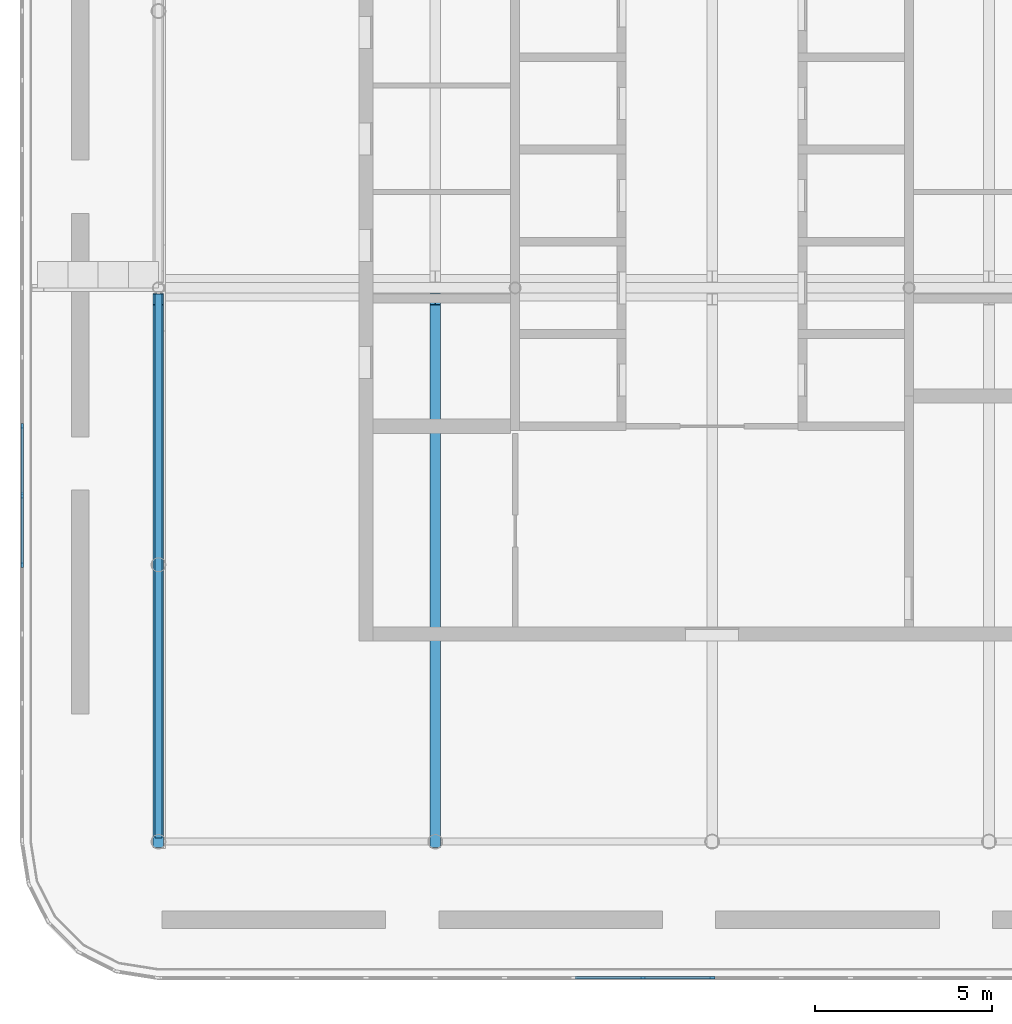
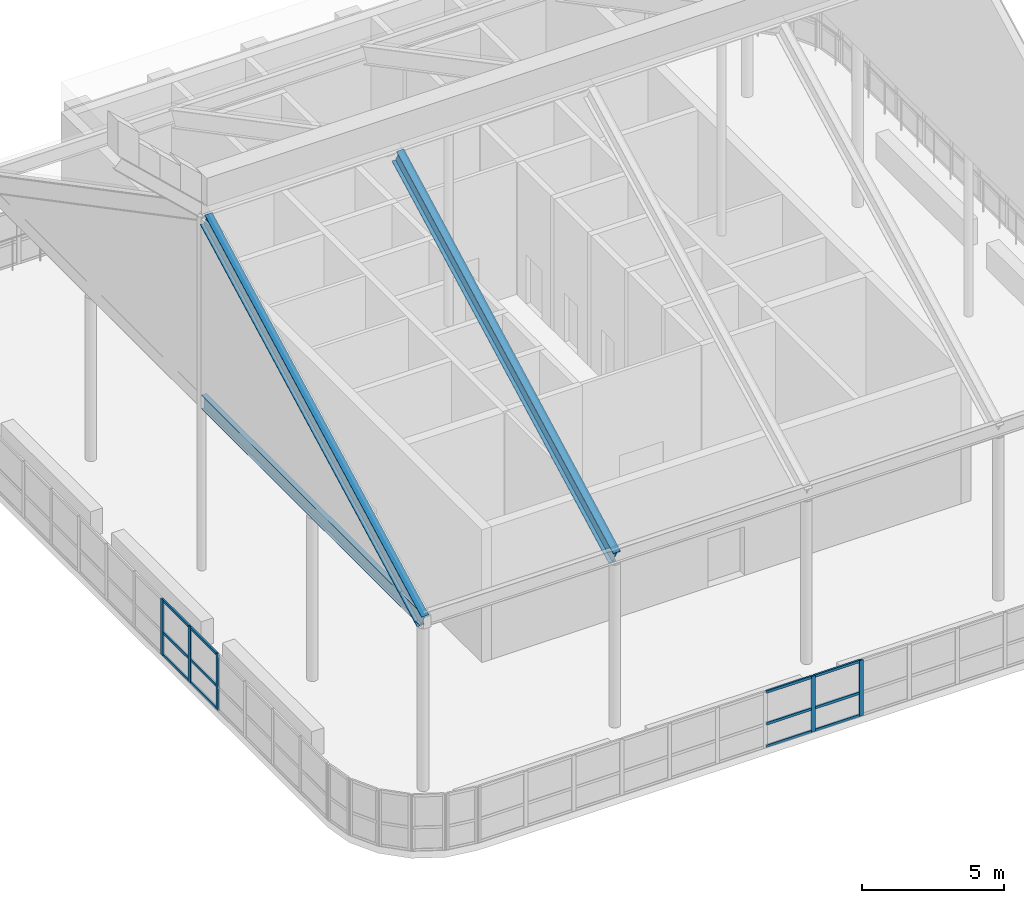
# One storey, part 5 of 19: 17 members, 3 beams, 2 elements without a shape of their own.
"""IFC4 building model written with IfcOpenShell, lengths in metres."""

from ifc_helpers import new_model, si_unit, direction, frame, origin, origin_2d, place, context, subcontext, project, spatial, rectangle, i_section, extrude, material, material_profile, profile_set, type_object, element, aggregate, save


model = new_model("IFC4")

# Units and contexts
model_context = context("Model", 3, precision=1e-05, world=origin(), true_north=direction((0.0, 1.0)))
body_context = subcontext(model_context, "Body", "Model", "MODEL_VIEW")
ifc_project = project(units=[si_unit("LENGTHUNIT", "METRE"), si_unit("AREAUNIT", "SQUARE_METRE"), si_unit("VOLUMEUNIT", "CUBIC_METRE"), si_unit("PLANEANGLEUNIT", "RADIAN"), si_unit("MASSUNIT", "GRAM", prefix="KILO")], contexts=[model_context])

# Site, building, storey
site_placement = place(None, origin())
site = spatial("IfcSite", under=ifc_project, at=site_placement, CompositionType="ELEMENT")
building_placement = place(site_placement, origin())
building = spatial("IfcBuilding", under=site, at=building_placement, Name="Ludao Terraces", CompositionType="ELEMENT")
storey_placement = place(building_placement, frame((0.0, 0.0, 266.39990234375)))
storey = spatial("IfcBuildingStorey", under=building, at=storey_placement, Name="L73", CompositionType="ELEMENT", Elevation=266.39990234375)

# Beams
ifc_material_1 = material(Name="Steel Q355", Category="steel")
ifc_material_profile_1 = material_profile(ifc_material_1, i_section(OverallWidth=0.199951171875, OverallDepth=0.60009765625, WebThickness=0.010986328125, FlangeThickness=0.01708984375, at=origin_2d()), Name="HN 600X200X11X17")
ifc_profile_set_1 = profile_set([ifc_material_profile_1], Name="Steel Q355")
beam_type_1 = type_object("IfcBeamType", Name="Canopy eave beam HN 600x200x11x17 Q355", PredefinedType="BEAM", material=ifc_profile_set_1)
beam_placement = place(storey_placement, frame((69.39990234375, 49.5, 7.29541015625), z_axis=(0.0, 1.0, 0.0), x_axis=(-1.0, 0.0, 0.0)))
element("IfcBeam", 1, at=beam_placement, inside=storey, type_object=beam_type_1, Name="Gable tie beam W south", PredefinedType="BEAM", context=body_context, shape_type="SweptSolid", body=[
    extrude(i_section(OverallWidth=0.199951171875, OverallDepth=0.60009765625, WebThickness=0.010986328125, FlangeThickness=0.01708984375, at=origin_2d()), origin(), (0.0, 0.0, 1.0), 15.33251953125),
])
ifc_material_profile_2 = material_profile(ifc_material_1, i_section(OverallWidth=0.300048828125, OverallDepth=0.699951171875, WebThickness=0.012939453125, FlangeThickness=0.02392578125, at=origin_2d()), Name="HN 700X300X13X24")
ifc_profile_set_2 = profile_set([ifc_material_profile_2], Name="Steel Q355")
beam_type_2 = type_object("IfcBeamType", Name="Canopy rafter HN 700x300x13x24 Q355", PredefinedType="BEAM", material=ifc_profile_set_2)
for number, where, z_axis, x_axis, name in (
    (2, (69.39990234375, 49.39990234375, 7.2001953125), (0.0, 0.885170238138, 0.465267288249), (-1.0, 0.0, 0.0), "Canopy rafter south 78"),
    (3, (77.199951171875, 49.39990234375, 7.2001953125), (0.0, 0.885170238138, 0.465267288249), (-1.0, 0.0, 0.0), "Canopy rafter south 156"),
):
    element("IfcBeam", number, at=place(storey_placement, frame(where, z_axis=z_axis, x_axis=x_axis)), inside=storey, type_object=beam_type_2, Name=name, PredefinedType="BEAM", context=body_context, shape_type="SweptSolid", body=[
        extrude(i_section(OverallWidth=0.300048828125, OverallDepth=0.699951171875, WebThickness=0.012939453125, FlangeThickness=0.02392578125, at=origin_2d()), origin(), (0.0, 0.0, 1.0), 17.2646484375),
    ])

# Curtain wall, members
ifc_material_2 = material(Name="Aluminium curtain wall with fritted glass", Category="aluminium")
curtain_wall_type = type_object("IfcCurtainWallType", Name="ENV CW6 crown screen glazing", PredefinedType="NOTDEFINED", material=ifc_material_2)
curtain_wall_1_placement = place(storey_placement, origin())
curtain_wall_1 = element("IfcCurtainWall", 4, at=curtain_wall_1_placement, inside=storey, type_object=curtain_wall_type, Name="Deck windscreen S1", PredefinedType="NOTDEFINED")
ifc_material_3 = material(Name="Aluminium 6063-T6", Category="aluminium")
ifc_material_profile_3 = material_profile(ifc_material_3, rectangle(XDim=0.070068359375, YDim=0.159912109375, at=origin_2d()), Name="70 X 160")
ifc_profile_set_3 = profile_set([ifc_material_profile_3], Name="Aluminium 6063-T6")
member_type_1 = type_object("IfcMemberType", Name="ENV CW6 mullion 70x160", PredefinedType="MULLION", material=ifc_profile_set_3)
member_1_placement = place(storey_placement, frame((83.050048828125, 45.56005859375, 0.0), z_axis=(0.0, 0.0, 1.0), x_axis=(0.0, 1.0, 0.0)))
member_1 = element("IfcMember", 5, at=member_1_placement, type_object=member_type_1, Name="CW6 mullion 8", PredefinedType="MULLION", context=body_context, shape_type="SweptSolid", body=[
    extrude(rectangle(XDim=0.070068359375, YDim=0.159912109375, at=origin_2d()), origin(), (0.0, 0.0, 1.0), 2.400146484375),
])
member_2_placement = place(storey_placement, frame((85.0, 45.56005859375, 0.0), z_axis=(0.0, 0.0, 1.0), x_axis=(0.0, 1.0, 0.0)))
member_2 = element("IfcMember", 6, at=member_2_placement, type_object=member_type_1, Name="CW6 mullion 9", PredefinedType="MULLION", context=body_context, shape_type="SweptSolid", body=[
    extrude(rectangle(XDim=0.070068359375, YDim=0.159912109375, at=origin_2d()), origin(), (0.0, 0.0, 1.0), 2.400146484375),
])

curtain_wall_2_placement = place(storey_placement, origin())
curtain_wall_2 = element("IfcCurtainWall", 7, at=curtain_wall_2_placement, inside=storey, type_object=curtain_wall_type, Name="Deck windscreen W1", PredefinedType="NOTDEFINED")
member_3_placement = place(storey_placement, frame((65.56005859375, 57.199951171875, 0.0), z_axis=(0.0, 0.0, 1.0), x_axis=(-1.0, 0.0, 0.0)))
member_3 = element("IfcMember", 8, at=member_3_placement, type_object=member_type_1, Name="CW6 mullion 5", PredefinedType="MULLION", context=body_context, shape_type="SweptSolid", body=[
    extrude(rectangle(XDim=0.070068359375, YDim=0.159912109375, at=origin_2d()), origin(), (0.0, 0.0, 1.0), 2.400146484375),
])
member_4_placement = place(storey_placement, frame((65.56005859375, 59.14990234375, 0.0), z_axis=(0.0, 0.0, 1.0), x_axis=(-1.0, 0.0, 0.0)))
member_4 = element("IfcMember", 9, at=member_4_placement, type_object=member_type_1, Name="CW6 mullion 6", PredefinedType="MULLION", context=body_context, shape_type="SweptSolid", body=[
    extrude(rectangle(XDim=0.070068359375, YDim=0.159912109375, at=origin_2d()), origin(), (0.0, 0.0, 1.0), 2.400146484375),
])
member_5_placement = place(storey_placement, frame((65.56005859375, 61.10009765625, 0.0), z_axis=(0.0, 0.0, 1.0), x_axis=(-1.0, 0.0, 0.0)))
member_5 = element("IfcMember", 10, at=member_5_placement, type_object=member_type_1, Name="CW6 mullion 7", PredefinedType="MULLION", context=body_context, shape_type="SweptSolid", body=[
    extrude(rectangle(XDim=0.070068359375, YDim=0.159912109375, at=origin_2d()), origin(), (0.0, 0.0, 1.0), 2.400146484375),
])

# Member
ifc_material_profile_4 = material_profile(ifc_material_3, rectangle(XDim=0.070068359375, YDim=0.110107421875, at=origin_2d()), Name="70 X 110")
ifc_profile_set_4 = profile_set([ifc_material_profile_4], Name="Aluminium 6063-T6")
member_type_2 = type_object("IfcMemberType", Name="ENV CW6 transom 70x110", PredefinedType="USERDEFINED", material=ifc_profile_set_4)
member_6_placement = place(storey_placement, frame((81.135009765625, 45.56005859375, 0.03515625), z_axis=(1.0, 0.0, 0.0), x_axis=(0.0, 1.0, 0.0)))
member_6 = element("IfcMember", 11, at=member_6_placement, type_object=member_type_2, Name="CW6 transom 7.1", ObjectType="TRANSOM", PredefinedType="USERDEFINED", context=body_context, shape_type="SweptSolid", body=[
    extrude(rectangle(XDim=0.070068359375, YDim=0.110107421875, at=origin_2d()), origin(), (0.0, 0.0, 1.0), 1.8798828125),
])

member_7_placement = place(storey_placement, frame((81.135009765625, 45.56005859375, 1.0), z_axis=(1.0, 0.0, 0.0), x_axis=(0.0, 1.0, 0.0)))
member_7 = element("IfcMember", 12, at=member_7_placement, type_object=member_type_2, Name="CW6 transom 7.2", ObjectType="TRANSOM", PredefinedType="USERDEFINED", context=body_context, shape_type="SweptSolid", body=[
    extrude(rectangle(XDim=0.070068359375, YDim=0.110107421875, at=origin_2d()), origin(), (0.0, 0.0, 1.0), 1.8798828125),
])

member_8_placement = place(storey_placement, frame((81.135009765625, 45.56005859375, 2.364990234375), z_axis=(1.0, 0.0, 0.0), x_axis=(0.0, 1.0, 0.0)))
member_8 = element("IfcMember", 13, at=member_8_placement, type_object=member_type_2, Name="CW6 transom 7.3", ObjectType="TRANSOM", PredefinedType="USERDEFINED", context=body_context, shape_type="SweptSolid", body=[
    extrude(rectangle(XDim=0.070068359375, YDim=0.110107421875, at=origin_2d()), origin(), (0.0, 0.0, 1.0), 1.8798828125),
])

member_9_placement = place(storey_placement, frame((83.0849609375, 45.56005859375, 0.03515625), z_axis=(1.0, 0.0, 0.0), x_axis=(0.0, 1.0, 0.0)))
member_9 = element("IfcMember", 14, at=member_9_placement, type_object=member_type_2, Name="CW6 transom 8.1", ObjectType="TRANSOM", PredefinedType="USERDEFINED", context=body_context, shape_type="SweptSolid", body=[
    extrude(rectangle(XDim=0.070068359375, YDim=0.110107421875, at=origin_2d()), origin(), (0.0, 0.0, 1.0), 1.880126953125),
])

member_10_placement = place(storey_placement, frame((83.0849609375, 45.56005859375, 1.0), z_axis=(1.0, 0.0, 0.0), x_axis=(0.0, 1.0, 0.0)))
member_10 = element("IfcMember", 15, at=member_10_placement, type_object=member_type_2, Name="CW6 transom 8.2", ObjectType="TRANSOM", PredefinedType="USERDEFINED", context=body_context, shape_type="SweptSolid", body=[
    extrude(rectangle(XDim=0.070068359375, YDim=0.110107421875, at=origin_2d()), origin(), (0.0, 0.0, 1.0), 1.880126953125),
])

member_11_placement = place(storey_placement, frame((83.0849609375, 45.56005859375, 2.364990234375), z_axis=(1.0, 0.0, 0.0), x_axis=(0.0, 1.0, 0.0)))
member_11 = element("IfcMember", 16, at=member_11_placement, type_object=member_type_2, Name="CW6 transom 8.3", ObjectType="TRANSOM", PredefinedType="USERDEFINED", context=body_context, shape_type="SweptSolid", body=[
    extrude(rectangle(XDim=0.070068359375, YDim=0.110107421875, at=origin_2d()), origin(), (0.0, 0.0, 1.0), 1.880126953125),
])

aggregate(curtain_wall_1, [member_1, member_2, member_6, member_7, member_8, member_9, member_10, member_11])

member_12_placement = place(storey_placement, frame((65.56005859375, 57.235107421875, 0.03515625), z_axis=(0.0, 1.0, 0.0), x_axis=(-1.0, 0.0, 0.0)))
member_12 = element("IfcMember", 17, at=member_12_placement, type_object=member_type_2, Name="CW6 transom 5.1", ObjectType="TRANSOM", PredefinedType="USERDEFINED", context=body_context, shape_type="SweptSolid", body=[
    extrude(rectangle(XDim=0.070068359375, YDim=0.110107421875, at=origin_2d()), origin(), (0.0, 0.0, 1.0), 1.8798828125),
])

member_13_placement = place(storey_placement, frame((65.56005859375, 57.235107421875, 1.0), z_axis=(0.0, 1.0, 0.0), x_axis=(-1.0, 0.0, 0.0)))
member_13 = element("IfcMember", 18, at=member_13_placement, type_object=member_type_2, Name="CW6 transom 5.2", ObjectType="TRANSOM", PredefinedType="USERDEFINED", context=body_context, shape_type="SweptSolid", body=[
    extrude(rectangle(XDim=0.070068359375, YDim=0.110107421875, at=origin_2d()), origin(), (0.0, 0.0, 1.0), 1.8798828125),
])

member_14_placement = place(storey_placement, frame((65.56005859375, 57.235107421875, 2.364990234375), z_axis=(0.0, 1.0, 0.0), x_axis=(-1.0, 0.0, 0.0)))
member_14 = element("IfcMember", 19, at=member_14_placement, type_object=member_type_2, Name="CW6 transom 5.3", ObjectType="TRANSOM", PredefinedType="USERDEFINED", context=body_context, shape_type="SweptSolid", body=[
    extrude(rectangle(XDim=0.070068359375, YDim=0.110107421875, at=origin_2d()), origin(), (0.0, 0.0, 1.0), 1.8798828125),
])

member_15_placement = place(storey_placement, frame((65.56005859375, 59.18505859375, 0.03515625), z_axis=(0.0, 1.0, 0.0), x_axis=(-1.0, 0.0, 0.0)))
member_15 = element("IfcMember", 20, at=member_15_placement, type_object=member_type_2, Name="CW6 transom 6.1", ObjectType="TRANSOM", PredefinedType="USERDEFINED", context=body_context, shape_type="SweptSolid", body=[
    extrude(rectangle(XDim=0.070068359375, YDim=0.110107421875, at=origin_2d()), origin(), (0.0, 0.0, 1.0), 1.8798828125),
])

member_16_placement = place(storey_placement, frame((65.56005859375, 59.18505859375, 1.0), z_axis=(0.0, 1.0, 0.0), x_axis=(-1.0, 0.0, 0.0)))
member_16 = element("IfcMember", 21, at=member_16_placement, type_object=member_type_2, Name="CW6 transom 6.2", ObjectType="TRANSOM", PredefinedType="USERDEFINED", context=body_context, shape_type="SweptSolid", body=[
    extrude(rectangle(XDim=0.070068359375, YDim=0.110107421875, at=origin_2d()), origin(), (0.0, 0.0, 1.0), 1.8798828125),
])

member_17_placement = place(storey_placement, frame((65.56005859375, 59.18505859375, 2.364990234375), z_axis=(0.0, 1.0, 0.0), x_axis=(-1.0, 0.0, 0.0)))
member_17 = element("IfcMember", 22, at=member_17_placement, type_object=member_type_2, Name="CW6 transom 6.3", ObjectType="TRANSOM", PredefinedType="USERDEFINED", context=body_context, shape_type="SweptSolid", body=[
    extrude(rectangle(XDim=0.070068359375, YDim=0.110107421875, at=origin_2d()), origin(), (0.0, 0.0, 1.0), 1.8798828125),
])

aggregate(curtain_wall_2, [member_3, member_4, member_5, member_12, member_13, member_14, member_15, member_16, member_17])

save(model, "model.ifc")
